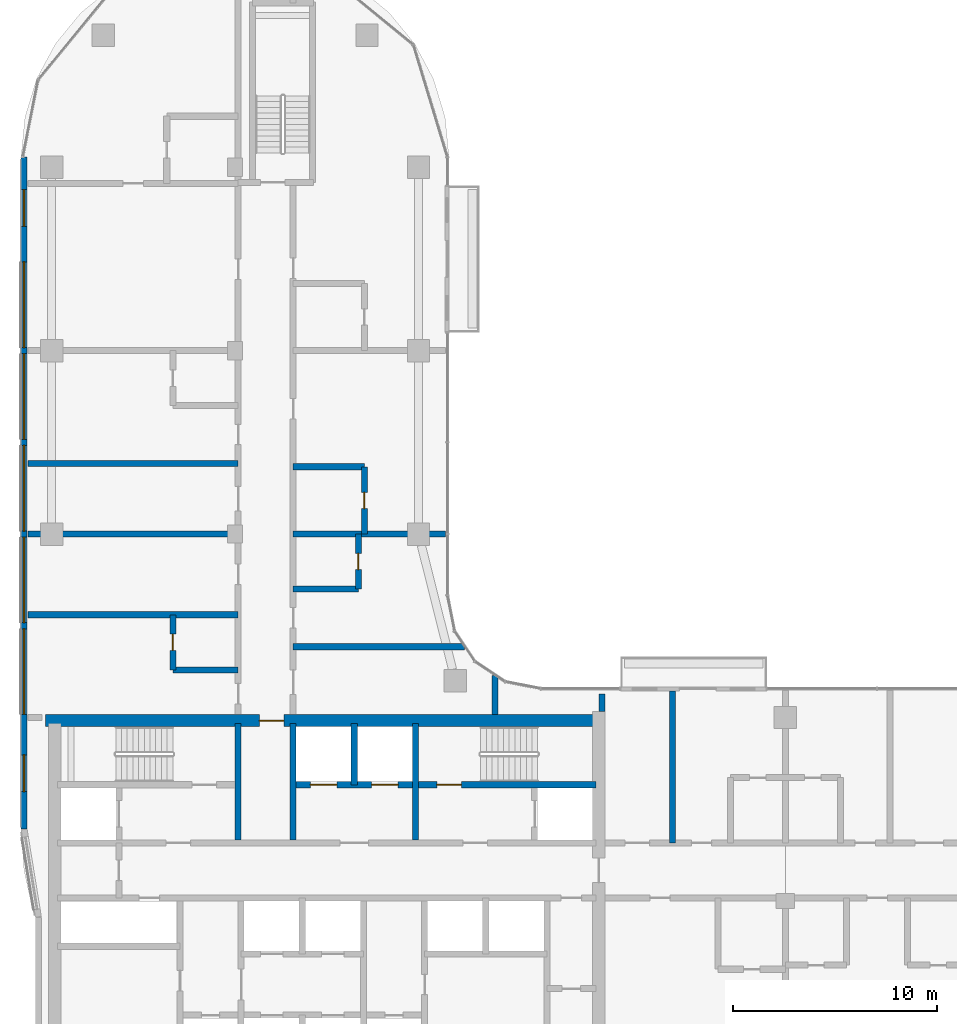
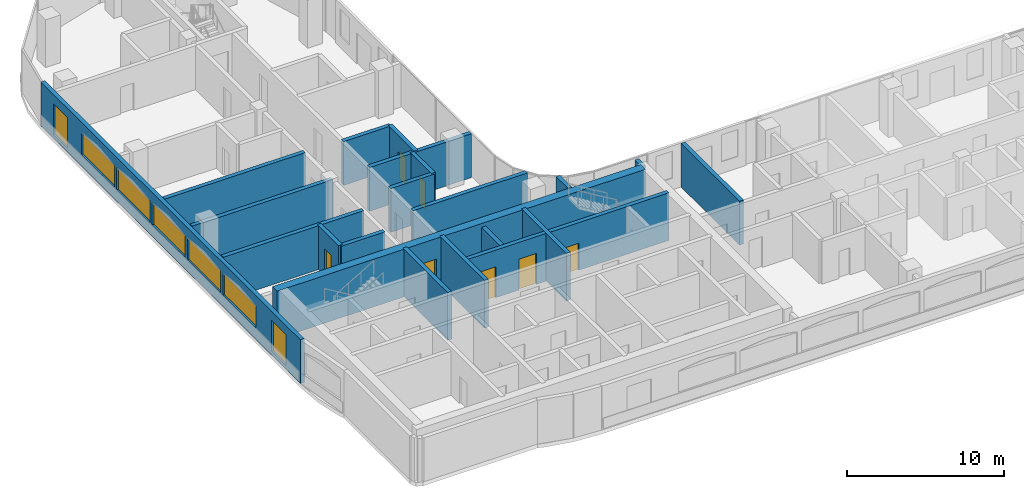
# One storey, part 8 of 22: 21 walls, 7 doors, 7 windows, 14 openings.
"""IFC4 building model written with IfcOpenShell, lengths in metres."""

from ifc_helpers import new_model, si_unit, direction, frame, frame_2d, origin, place, context, subcontext, project, spatial, rectangle, extrude, material, layer, layer_set, type_object, element, fill, save


model = new_model("IFC4")

# Units and contexts
model_context = context("Model", 3, precision=1e-05, world=origin(), true_north=direction((0.0, 1.0)))
body_context = subcontext(model_context, "Body", "Model", "MODEL_VIEW")
ifc_project = project(units=[si_unit("LENGTHUNIT", "METRE"), si_unit("AREAUNIT", "SQUARE_METRE"), si_unit("VOLUMEUNIT", "CUBIC_METRE"), si_unit("PLANEANGLEUNIT", "RADIAN"), si_unit("MASSUNIT", "GRAM", prefix="KILO")], contexts=[model_context])

# Site, building, storey
site_placement = place(None, origin())
site = spatial("IfcSite", under=ifc_project, at=site_placement, CompositionType="ELEMENT")
building_placement = place(site_placement, origin())
building = spatial("IfcBuilding", under=site, at=building_placement, Name="Ogive Portal Towers", CompositionType="ELEMENT")
storey_placement = place(building_placement, frame((0.0, 0.0, 145.89990234375)))
storey = spatial("IfcBuildingStorey", under=building, at=storey_placement, Name="L35", CompositionType="ELEMENT", Elevation=145.89990234375)

# Wall, openings, doors
ifc_material_1 = material(Name="Concrete C60/75", Category="concrete")
ifc_layer_1 = layer(ifc_material_1, 0.300048828125)
ifc_layer_set_1 = layer_set([ifc_layer_1], Name="CORE WALL 300 C60")
wall_type_1 = type_object("IfcWallType", Name="CORE WALL 300 C60", PredefinedType="SHEAR", material=ifc_layer_set_1)
wall_1_placement = place(storey_placement, frame((43.5, 36.199951171875, 0.0), z_axis=(0.0, 0.0, 1.0), x_axis=(1.0, 0.0, 0.0)))
wall_1 = element("IfcWall", 1, at=wall_1_placement, inside=storey, type_object=wall_type_1, Name="Core wall Y3b L35", PredefinedType="SHEAR", context=body_context, shape_type="SweptSolid", body=[
    extrude(rectangle(XDim=14.699951171875, YDim=0.300048828125, at=frame_2d((7.35009765625, 0.0))), origin(), (0.0, 0.0, 1.0), 3.7001953125),
])
opening_1_placement = place(wall_1_placement, frame((6.89990234375, 0.0, 0.0)))
opening_1 = element("IfcOpeningElement", 2, at=opening_1_placement, cuts=wall_1, Name="Opening D13-006", PredefinedType="OPENING", context=body_context, shape_type="SweptSolid", body=[
    extrude(rectangle(XDim=1.199951171875, YDim=2.10009765625, at=frame_2d((0.60009765625, 1.050048828125))), frame((0.0, 0.16015625, 0.0), z_axis=(0.0, -1.0, 0.0), x_axis=(1.0, 0.0, 0.0)), (0.0, 0.0, 1.0), 0.320068359375),
])
opening_2_placement = place(wall_1_placement, frame((0.699951171875, 0.0, 0.0)))
opening_2 = element("IfcOpeningElement", 3, at=opening_2_placement, cuts=wall_1, Name="Opening D13-017", PredefinedType="OPENING", context=body_context, shape_type="SweptSolid", body=[
    extrude(rectangle(XDim=1.300048828125, YDim=2.39990234375, at=frame_2d((0.64990234375, 1.199951171875))), frame((0.0, 0.16015625, 0.0), z_axis=(0.0, -1.0, 0.0), x_axis=(1.0, 0.0, 0.0)), (0.0, 0.0, 1.0), 0.320068359375),
])
opening_3_placement = place(wall_1_placement, frame((3.699951171875, 0.0, 0.0)))
opening_3 = element("IfcOpeningElement", 4, at=opening_3_placement, cuts=wall_1, Name="Opening D13-018", PredefinedType="OPENING", context=body_context, shape_type="SweptSolid", body=[
    extrude(rectangle(XDim=1.300048828125, YDim=2.39990234375, at=frame_2d((0.64990234375, 1.199951171875))), frame((0.0, 0.16015625, 0.0), z_axis=(0.0, -1.0, 0.0), x_axis=(1.0, 0.0, 0.0)), (0.0, 0.0, 1.0), 0.320068359375),
])
ifc_material_2 = material(Name="Stainless steel", Category="steel")
door_type_1 = type_object("IfcDoorType", Name="DT-LD-1300x2400", OperationType="SLIDING_TO_LEFT", PredefinedType="DOOR", material=ifc_material_2)
door_1_placement = place(opening_2_placement, origin())
door_1 = element("IfcDoor", 5, at=door_1_placement, inside=storey, type_object=door_type_1, Name="Door D13-017", OperationType="SLIDING_TO_LEFT", OverallHeight=2.39990234375, OverallWidth=1.300048828125, PredefinedType="DOOR", context=body_context, shape_type="SweptSolid", body=[
    extrude(rectangle(XDim=1.300048828125, YDim=2.39990234375, at=frame_2d((0.64990234375, 1.199951171875))), frame((0.0, 0.02490234375, 0.0), z_axis=(0.0, -1.0, 0.0), x_axis=(1.0, 0.0, 0.0)), (0.0, 0.0, 1.0), 0.050048828125),
])
fill(opening_2, door_1)
door_2_placement = place(opening_3_placement, origin())
door_2 = element("IfcDoor", 6, at=door_2_placement, inside=storey, type_object=door_type_1, Name="Door D13-018", OperationType="SLIDING_TO_LEFT", OverallHeight=2.39990234375, OverallWidth=1.300048828125, PredefinedType="DOOR", context=body_context, shape_type="SweptSolid", body=[
    extrude(rectangle(XDim=1.300048828125, YDim=2.39990234375, at=frame_2d((0.64990234375, 1.199951171875))), frame((0.0, 0.02490234375, 0.0), z_axis=(0.0, -1.0, 0.0), x_axis=(1.0, 0.0, 0.0)), (0.0, 0.0, 1.0), 0.050048828125),
])
fill(opening_3, door_2)
ifc_material_3 = material(Name="Steel fire door", Category="steel")
door_type_2 = type_object("IfcDoorType", Name="DT-SWING-1200x2100-FD90S", OperationType="SINGLE_SWING_LEFT", PredefinedType="DOOR", material=ifc_material_3)
door_3_placement = place(opening_1_placement, origin())
door_3 = element("IfcDoor", 7, at=door_3_placement, inside=storey, type_object=door_type_2, Name="Door D13-006", OperationType="SINGLE_SWING_LEFT", OverallHeight=2.10009765625, OverallWidth=1.199951171875, PredefinedType="DOOR", context=body_context, shape_type="SweptSolid", body=[
    extrude(rectangle(XDim=1.199951171875, YDim=2.10009765625, at=frame_2d((0.60009765625, 1.050048828125))), frame((0.0, 0.02490234375, 0.0), z_axis=(0.0, -1.0, 0.0), x_axis=(1.0, 0.0, 0.0)), (0.0, 0.0, 1.0), 0.050048828125),
])
fill(opening_1, door_3)

# Walls
for number, where, z_axis, x_axis, name in (
    (8, (40.64990234375, 33.5, 0.0), (0.0, 0.0, 1.0), (0.0, 1.0, 0.0), "Core wall X6 L35"),
    (9, (43.35009765625, 33.5, 0.0), (0.0, 0.0, 1.0), (0.0, 1.0, 0.0), "Core wall X7 L35"),
    (10, (49.35009765625, 33.5, 0.0), (0.0, 0.0, 1.0), (0.0, 1.0, 0.0), "Core wall X9 L35"),
):
    element("IfcWall", number, at=place(storey_placement, frame(where, z_axis=z_axis, x_axis=x_axis)), inside=storey, type_object=wall_type_1, Name=name, PredefinedType="SHEAR", context=body_context, shape_type="SweptSolid", body=[
        extrude(rectangle(XDim=5.699951171875, YDim=0.300048828125, at=frame_2d((2.85009765625, 0.0))), origin(), (0.0, 0.0, 1.0), 3.7001953125),
    ])

# Wall, opening, door
ifc_layer_2 = layer(ifc_material_1, 0.60009765625)
ifc_layer_set_2 = layer_set([ifc_layer_2], Name="CORE WALL 600 C60")
wall_type_2 = type_object("IfcWallType", Name="CORE WALL 600 C60", PredefinedType="SHEAR", material=ifc_layer_set_2)
wall_2_placement = place(storey_placement, frame((31.199951171875, 39.35009765625, 0.0), z_axis=(0.0, 0.0, 1.0), x_axis=(1.0, 0.0, 0.0)))
wall_2 = element("IfcWall", 11, at=wall_2_placement, inside=storey, type_object=wall_type_2, Name="Core wall N L35", PredefinedType="SHEAR", context=body_context, shape_type="SweptSolid", body=[
    extrude(rectangle(XDim=27.0, YDim=0.60009765625, at=frame_2d((13.5, 0.0))), origin(), (0.0, 0.0, 1.0), 3.7001953125),
])
opening_4_placement = place(wall_2_placement, frame((10.5, 0.0, 0.0)))
opening_4 = element("IfcOpeningElement", 12, at=opening_4_placement, cuts=wall_2, Name="Opening D13-012", PredefinedType="OPENING", context=body_context, shape_type="SweptSolid", body=[
    extrude(rectangle(XDim=1.199951171875, YDim=2.10009765625, at=frame_2d((0.60009765625, 1.050048828125))), frame((0.0, 0.31005859375, 0.0), z_axis=(0.0, -1.0, 0.0), x_axis=(1.0, 0.0, 0.0)), (0.0, 0.0, 1.0), 0.6201171875),
])
door_4_placement = place(opening_4_placement, origin())
door_4 = element("IfcDoor", 13, at=door_4_placement, inside=storey, type_object=door_type_2, Name="Door D13-012", OperationType="SINGLE_SWING_RIGHT", OverallHeight=2.10009765625, OverallWidth=1.199951171875, PredefinedType="DOOR", context=body_context, shape_type="SweptSolid", body=[
    extrude(rectangle(XDim=1.199951171875, YDim=2.10009765625, at=frame_2d((0.60009765625, 1.050048828125))), frame((0.0, 0.02490234375, 0.0), z_axis=(0.0, -1.0, 0.0), x_axis=(1.0, 0.0, 0.0)), (0.0, 0.0, 1.0), 0.050048828125),
])
fill(opening_4, door_4)

# Wall, openings, windows
ifc_material_4 = material(Name="Limestone cladding on lightweight block wall", Category="masonry")
ifc_layer_3 = layer(ifc_material_4, 0.300048828125)
ifc_layer_set_3 = layer_set([ifc_layer_3], Name="EXTERNAL WALL 300 STONE")
wall_type_3 = type_object("IfcWallType", Name="EXTERNAL WALL 300 STONE", PredefinedType="SOLIDWALL", material=ifc_layer_set_3)
wall_3_placement = place(storey_placement, frame((30.14990234375, 66.9921875, 0.0), z_axis=(0.0, 0.0, 1.0), x_axis=(0.0, -1.0, 0.0)))
wall_3 = element("IfcWall", 14, at=wall_3_placement, inside=storey, type_object=wall_type_3, Name="A:L35:f24:r0:wall", PredefinedType="SOLIDWALL", context=body_context, shape_type="SweptSolid", body=[
    extrude(rectangle(XDim=32.968017578125, YDim=0.300048828125, at=frame_2d((16.48388671875, 0.0))), origin(), (0.0, 0.0, 1.0), 3.400146484375),
])
opening_5_placement = place(wall_3_placement, frame((1.595947265625, 0.0, 0.300048828125)))
opening_5 = element("IfcOpeningElement", 15, at=opening_5_placement, cuts=wall_3, Name="Opening WN10", PredefinedType="OPENING", context=body_context, shape_type="SweptSolid", body=[
    extrude(rectangle(XDim=1.800048828125, YDim=2.39990234375, at=frame_2d((0.89990234375, 1.199951171875))), frame((0.0, 0.16015625, 0.0), z_axis=(0.0, -1.0, 0.0), x_axis=(1.0, 0.0, 0.0)), (0.0, 0.0, 1.0), 0.320068359375),
])
opening_6_placement = place(wall_3_placement, frame((5.14208984375, 0.0, 0.89990234375)))
opening_6 = element("IfcOpeningElement", 16, at=opening_6_placement, cuts=wall_3, Name="Opening WN13", PredefinedType="OPENING", context=body_context, shape_type="SweptSolid", body=[
    extrude(rectangle(XDim=4.199951171875, YDim=1.699951171875, at=frame_2d((2.10009765625, 0.85009765625))), frame((0.0, 0.16015625, 0.0), z_axis=(0.0, -1.0, 0.0), x_axis=(1.0, 0.0, 0.0)), (0.0, 0.0, 1.0), 0.320068359375),
])
opening_7_placement = place(wall_3_placement, frame((9.64208984375, 0.0, 0.89990234375)))
opening_7 = element("IfcOpeningElement", 17, at=opening_7_placement, cuts=wall_3, Name="Opening WN13", PredefinedType="OPENING", context=body_context, shape_type="SweptSolid", body=[
    extrude(rectangle(XDim=4.199951171875, YDim=1.699951171875, at=frame_2d((2.10009765625, 0.85009765625))), frame((0.0, 0.16015625, 0.0), z_axis=(0.0, -1.0, 0.0), x_axis=(1.0, 0.0, 0.0)), (0.0, 0.0, 1.0), 0.320068359375),
])
opening_8_placement = place(wall_3_placement, frame((14.14208984375, 0.0, 0.89990234375)))
opening_8 = element("IfcOpeningElement", 18, at=opening_8_placement, cuts=wall_3, Name="Opening WN13", PredefinedType="OPENING", context=body_context, shape_type="SweptSolid", body=[
    extrude(rectangle(XDim=4.199951171875, YDim=1.699951171875, at=frame_2d((2.10009765625, 0.85009765625))), frame((0.0, 0.16015625, 0.0), z_axis=(0.0, -1.0, 0.0), x_axis=(1.0, 0.0, 0.0)), (0.0, 0.0, 1.0), 0.320068359375),
])
opening_9_placement = place(wall_3_placement, frame((18.64208984375, 0.0, 0.89990234375)))
opening_9 = element("IfcOpeningElement", 19, at=opening_9_placement, cuts=wall_3, Name="Opening WN13", PredefinedType="OPENING", context=body_context, shape_type="SweptSolid", body=[
    extrude(rectangle(XDim=4.199951171875, YDim=1.699951171875, at=frame_2d((2.10009765625, 0.85009765625))), frame((0.0, 0.16015625, 0.0), z_axis=(0.0, -1.0, 0.0), x_axis=(1.0, 0.0, 0.0)), (0.0, 0.0, 1.0), 0.320068359375),
])
opening_10_placement = place(wall_3_placement, frame((23.14208984375, 0.0, 0.89990234375)))
opening_10 = element("IfcOpeningElement", 20, at=opening_10_placement, cuts=wall_3, Name="Opening WN13", PredefinedType="OPENING", context=body_context, shape_type="SweptSolid", body=[
    extrude(rectangle(XDim=4.199951171875, YDim=1.699951171875, at=frame_2d((2.10009765625, 0.85009765625))), frame((0.0, 0.16015625, 0.0), z_axis=(0.0, -1.0, 0.0), x_axis=(1.0, 0.0, 0.0)), (0.0, 0.0, 1.0), 0.320068359375),
])
opening_11_placement = place(wall_3_placement, frame((29.330078125, 0.0, 0.300048828125)))
opening_11 = element("IfcOpeningElement", 21, at=opening_11_placement, cuts=wall_3, Name="Opening WN10", PredefinedType="OPENING", context=body_context, shape_type="SweptSolid", body=[
    extrude(rectangle(XDim=1.800048828125, YDim=2.39990234375, at=frame_2d((0.89990234375, 1.199951171875))), frame((0.0, 0.16015625, 0.0), z_axis=(0.0, -1.0, 0.0), x_axis=(1.0, 0.0, 0.0)), (0.0, 0.0, 1.0), 0.320068359375),
])
ifc_material_5 = material(Name="Glass, clear low-iron insulated glazing", Category="glass")
window_type_1 = type_object("IfcWindowType", Name="WINDOW RIBBON LANCET 4200x1700", PartitioningType="TRIPLE_PANEL_VERTICAL", PredefinedType="WINDOW", material=ifc_material_5)
window_1_placement = place(opening_6_placement, origin())
window_1 = element("IfcWindow", 22, at=window_1_placement, inside=storey, type_object=window_type_1, Name="A:L35:f24:r0:w1", OverallHeight=1.699951171875, OverallWidth=4.199951171875, PartitioningType="SINGLE_PANEL", PredefinedType="WINDOW", context=body_context, shape_type="SweptSolid", body=[
    extrude(rectangle(XDim=4.199951171875, YDim=1.699951171875, at=frame_2d((2.10009765625, 0.85009765625))), frame((0.0, 0.030029296875, 0.0), z_axis=(0.0, -1.0, 0.0), x_axis=(1.0, 0.0, 0.0)), (0.0, 0.0, 1.0), 0.06005859375),
])
fill(opening_6, window_1)
window_2_placement = place(opening_7_placement, origin())
window_2 = element("IfcWindow", 23, at=window_2_placement, inside=storey, type_object=window_type_1, Name="A:L35:f24:r0:w2", OverallHeight=1.699951171875, OverallWidth=4.199951171875, PartitioningType="SINGLE_PANEL", PredefinedType="WINDOW", context=body_context, shape_type="SweptSolid", body=[
    extrude(rectangle(XDim=4.199951171875, YDim=1.699951171875, at=frame_2d((2.10009765625, 0.85009765625))), frame((0.0, 0.030029296875, 0.0), z_axis=(0.0, -1.0, 0.0), x_axis=(1.0, 0.0, 0.0)), (0.0, 0.0, 1.0), 0.06005859375),
])
fill(opening_7, window_2)
window_3_placement = place(opening_8_placement, origin())
window_3 = element("IfcWindow", 24, at=window_3_placement, inside=storey, type_object=window_type_1, Name="A:L35:f24:r0:w3", OverallHeight=1.699951171875, OverallWidth=4.199951171875, PartitioningType="SINGLE_PANEL", PredefinedType="WINDOW", context=body_context, shape_type="SweptSolid", body=[
    extrude(rectangle(XDim=4.199951171875, YDim=1.699951171875, at=frame_2d((2.10009765625, 0.85009765625))), frame((0.0, 0.030029296875, 0.0), z_axis=(0.0, -1.0, 0.0), x_axis=(1.0, 0.0, 0.0)), (0.0, 0.0, 1.0), 0.06005859375),
])
fill(opening_8, window_3)
window_4_placement = place(opening_9_placement, origin())
window_4 = element("IfcWindow", 25, at=window_4_placement, inside=storey, type_object=window_type_1, Name="A:L35:f24:r0:w4", OverallHeight=1.699951171875, OverallWidth=4.199951171875, PartitioningType="SINGLE_PANEL", PredefinedType="WINDOW", context=body_context, shape_type="SweptSolid", body=[
    extrude(rectangle(XDim=4.199951171875, YDim=1.699951171875, at=frame_2d((2.10009765625, 0.85009765625))), frame((0.0, 0.030029296875, 0.0), z_axis=(0.0, -1.0, 0.0), x_axis=(1.0, 0.0, 0.0)), (0.0, 0.0, 1.0), 0.06005859375),
])
fill(opening_9, window_4)
window_5_placement = place(opening_10_placement, origin())
window_5 = element("IfcWindow", 26, at=window_5_placement, inside=storey, type_object=window_type_1, Name="A:L35:f24:r0:w5", OverallHeight=1.699951171875, OverallWidth=4.199951171875, PartitioningType="SINGLE_PANEL", PredefinedType="WINDOW", context=body_context, shape_type="SweptSolid", body=[
    extrude(rectangle(XDim=4.199951171875, YDim=1.699951171875, at=frame_2d((2.10009765625, 0.85009765625))), frame((0.0, 0.030029296875, 0.0), z_axis=(0.0, -1.0, 0.0), x_axis=(1.0, 0.0, 0.0)), (0.0, 0.0, 1.0), 0.06005859375),
])
fill(opening_10, window_5)
window_type_2 = type_object("IfcWindowType", Name="WINDOW SUITE CORNER 1800x2400", PartitioningType="DOUBLE_PANEL_VERTICAL", PredefinedType="WINDOW", material=ifc_material_5)
window_6_placement = place(opening_5_placement, origin())
window_6 = element("IfcWindow", 27, at=window_6_placement, inside=storey, type_object=window_type_2, Name="A:L35:f24:r0:w0", OverallHeight=2.39990234375, OverallWidth=1.800048828125, PartitioningType="SINGLE_PANEL", PredefinedType="WINDOW", context=body_context, shape_type="SweptSolid", body=[
    extrude(rectangle(XDim=1.800048828125, YDim=2.39990234375, at=frame_2d((0.89990234375, 1.199951171875))), frame((0.0, 0.030029296875, 0.0), z_axis=(0.0, -1.0, 0.0), x_axis=(1.0, 0.0, 0.0)), (0.0, 0.0, 1.0), 0.06005859375),
])
fill(opening_5, window_6)
window_7_placement = place(opening_11_placement, origin())
window_7 = element("IfcWindow", 28, at=window_7_placement, inside=storey, type_object=window_type_2, Name="A:L35:f24:r0:w6", OverallHeight=2.39990234375, OverallWidth=1.800048828125, PartitioningType="SINGLE_PANEL", PredefinedType="WINDOW", context=body_context, shape_type="SweptSolid", body=[
    extrude(rectangle(XDim=1.800048828125, YDim=2.39990234375, at=frame_2d((0.89990234375, 1.199951171875))), frame((0.0, 0.030029296875, 0.0), z_axis=(0.0, -1.0, 0.0), x_axis=(1.0, 0.0, 0.0)), (0.0, 0.0, 1.0), 0.06005859375),
])
fill(opening_11, window_7)

# Walls
ifc_material_6 = material(Name="Gypsum board partition on steel studs", Category="steel")
ifc_layer_4 = layer(ifc_material_6, 0.300048828125)
ifc_layer_set_4 = layer_set([ifc_layer_4], Name="WT-PART-300-EI 60")
wall_type_4 = type_object("IfcWallType", Name="WT-PART-300-EI 60", PredefinedType="PARTITIONING", material=ifc_layer_set_4)
wall_4_placement = place(storey_placement, frame((37.449951171875, 41.840087890625, 0.0), z_axis=(0.0, 0.0, 1.0), x_axis=(1.0, 0.0, 0.0)))
element("IfcWall", 29, at=wall_4_placement, inside=storey, type_object=wall_type_4, Name="Wall L35:w014", PredefinedType="PARTITIONING", context=body_context, shape_type="SweptSolid", body=[
    extrude(rectangle(XDim=3.199951171875, YDim=0.300048828125, at=frame_2d((1.60009765625, 0.0))), origin(), (0.0, 0.0, 1.0), 3.400146484375),
])
wall_5_placement = place(storey_placement, frame((43.35009765625, 42.969970703125, 0.0), z_axis=(0.0, 0.0, 1.0), x_axis=(1.0, 0.0, 0.0)))
element("IfcWall", 30, at=wall_5_placement, inside=storey, type_object=wall_type_4, Name="Wall L35:w015", PredefinedType="PARTITIONING", context=body_context, shape_type="SweptSolid", body=[
    extrude(rectangle(XDim=8.40185546875, YDim=0.300048828125, at=frame_2d((4.200927734375, 0.0))), origin(), (0.0, 0.0, 1.0), 3.400146484375),
])
wall_6_placement = place(storey_placement, frame((30.35009765625, 44.5400390625, 0.0), z_axis=(0.0, 0.0, 1.0), x_axis=(1.0, 0.0, 0.0)))
element("IfcWall", 31, at=wall_6_placement, inside=storey, type_object=wall_type_4, Name="Wall L35:w016", PredefinedType="PARTITIONING", context=body_context, shape_type="SweptSolid", body=[
    extrude(rectangle(XDim=10.2998046875, YDim=0.300048828125, at=frame_2d((5.14990234375, 0.0))), origin(), (0.0, 0.0, 1.0), 3.400146484375),
])
wall_7_placement = place(storey_placement, frame((43.35009765625, 45.800048828125, 0.0), z_axis=(0.0, 0.0, 1.0), x_axis=(1.0, 0.0, 0.0)))
element("IfcWall", 32, at=wall_7_placement, inside=storey, type_object=wall_type_4, Name="Wall L35:w017", PredefinedType="PARTITIONING", context=body_context, shape_type="SweptSolid", body=[
    extrude(rectangle(XDim=3.199951171875, YDim=0.300048828125, at=frame_2d((1.60009765625, 0.0))), origin(), (0.0, 0.0, 1.0), 3.400146484375),
])
wall_8_placement = place(storey_placement, frame((30.35009765625, 48.5, 0.0), z_axis=(0.0, 0.0, 1.0), x_axis=(1.0, 0.0, 0.0)))
element("IfcWall", 33, at=wall_8_placement, inside=storey, type_object=wall_type_4, Name="Wall L35:w018", PredefinedType="PARTITIONING", context=body_context, shape_type="SweptSolid", body=[
    extrude(rectangle(XDim=10.2998046875, YDim=0.300048828125, at=frame_2d((5.14990234375, 0.0))), origin(), (0.0, 0.0, 1.0), 3.400146484375),
])
wall_9_placement = place(storey_placement, frame((43.35009765625, 48.5, 0.0), z_axis=(0.0, 0.0, 1.0), x_axis=(1.0, 0.0, 0.0)))
element("IfcWall", 34, at=wall_9_placement, inside=storey, type_object=wall_type_4, Name="Wall L35:w019", PredefinedType="PARTITIONING", context=body_context, shape_type="SweptSolid", body=[
    extrude(rectangle(XDim=7.47998046875, YDim=0.300048828125, at=frame_2d((3.739990234375, 0.0))), origin(), (0.0, 0.0, 1.0), 3.400146484375),
])
wall_10_placement = place(storey_placement, frame((43.35009765625, 51.800048828125, 0.0), z_axis=(0.0, 0.0, 1.0), x_axis=(1.0, 0.0, 0.0)))
element("IfcWall", 35, at=wall_10_placement, inside=storey, type_object=wall_type_4, Name="Wall L35:w020", PredefinedType="PARTITIONING", context=body_context, shape_type="SweptSolid", body=[
    extrude(rectangle(XDim=3.5, YDim=0.300048828125, at=frame_2d((1.75, 0.0))), origin(), (0.0, 0.0, 1.0), 3.400146484375),
])
wall_11_placement = place(storey_placement, frame((30.35009765625, 51.969970703125, 0.0), z_axis=(0.0, 0.0, 1.0), x_axis=(1.0, 0.0, 0.0)))
element("IfcWall", 36, at=wall_11_placement, inside=storey, type_object=wall_type_4, Name="Wall L35:w021", PredefinedType="PARTITIONING", context=body_context, shape_type="SweptSolid", body=[
    extrude(rectangle(XDim=10.2998046875, YDim=0.300048828125, at=frame_2d((5.14990234375, 0.0))), origin(), (0.0, 0.0, 1.0), 3.400146484375),
])

# Wall, opening, door
wall_12_placement = place(storey_placement, frame((37.449951171875, 41.840087890625, 0.0), z_axis=(0.0, 0.0, 1.0), x_axis=(0.0, 1.0, 0.0)))
wall_12 = element("IfcWall", 37, at=wall_12_placement, inside=storey, type_object=wall_type_4, Name="Wall L35:w031", PredefinedType="PARTITIONING", context=body_context, shape_type="SweptSolid", body=[
    extrude(rectangle(XDim=2.699951171875, YDim=0.300048828125, at=frame_2d((1.35009765625, 0.0))), origin(), (0.0, 0.0, 1.0), 3.400146484375),
])
opening_12_placement = place(wall_12_placement, frame((0.949951171875, 0.0, 0.0)))
opening_12 = element("IfcOpeningElement", 38, at=opening_12_placement, cuts=wall_12, Name="Opening D13-046", PredefinedType="OPENING", context=body_context, shape_type="SweptSolid", body=[
    extrude(rectangle(XDim=0.800048828125, YDim=2.10009765625, at=frame_2d((0.39990234375, 1.050048828125))), frame((0.0, 0.16015625, 0.0), z_axis=(0.0, -1.0, 0.0), x_axis=(1.0, 0.0, 0.0)), (0.0, 0.0, 1.0), 0.320068359375),
])
door_type_3 = type_object("IfcDoorType", Name="DT-BATH-800x2100-FD60S", OperationType="SINGLE_SWING_LEFT", PredefinedType="DOOR", material=ifc_material_3)
door_5_placement = place(opening_12_placement, origin())
door_5 = element("IfcDoor", 39, at=door_5_placement, inside=storey, type_object=door_type_3, Name="Door D13-046", OperationType="SINGLE_SWING_LEFT", OverallHeight=2.10009765625, OverallWidth=0.800048828125, PredefinedType="DOOR", context=body_context, shape_type="SweptSolid", body=[
    extrude(rectangle(XDim=0.800048828125, YDim=2.10009765625, at=frame_2d((0.39990234375, 1.050048828125))), frame((0.0, 0.02490234375, 0.0), z_axis=(0.0, -1.0, 0.0), x_axis=(1.0, 0.0, 0.0)), (0.0, 0.0, 1.0), 0.050048828125),
])
fill(opening_12, door_5)

wall_13_placement = place(storey_placement, frame((46.550048828125, 45.800048828125, 0.0), z_axis=(0.0, 0.0, 1.0), x_axis=(0.0, 1.0, 0.0)))
wall_13 = element("IfcWall", 40, at=wall_13_placement, inside=storey, type_object=wall_type_4, Name="Wall L35:w038", PredefinedType="PARTITIONING", context=body_context, shape_type="SweptSolid", body=[
    extrude(rectangle(XDim=2.699951171875, YDim=0.300048828125, at=frame_2d((1.35009765625, 0.0))), origin(), (0.0, 0.0, 1.0), 3.400146484375),
])
opening_13_placement = place(wall_13_placement, frame((0.949951171875, 0.0, 0.0)))
opening_13 = element("IfcOpeningElement", 41, at=opening_13_placement, cuts=wall_13, Name="Opening D13-044", PredefinedType="OPENING", context=body_context, shape_type="SweptSolid", body=[
    extrude(rectangle(XDim=0.800048828125, YDim=2.10009765625, at=frame_2d((0.39990234375, 1.050048828125))), frame((0.0, 0.16015625, 0.0), z_axis=(0.0, -1.0, 0.0), x_axis=(1.0, 0.0, 0.0)), (0.0, 0.0, 1.0), 0.320068359375),
])
door_6_placement = place(opening_13_placement, origin())
door_6 = element("IfcDoor", 42, at=door_6_placement, inside=storey, type_object=door_type_3, Name="Door D13-044", OperationType="SINGLE_SWING_LEFT", OverallHeight=2.10009765625, OverallWidth=0.800048828125, PredefinedType="DOOR", context=body_context, shape_type="SweptSolid", body=[
    extrude(rectangle(XDim=0.800048828125, YDim=2.10009765625, at=frame_2d((0.39990234375, 1.050048828125))), frame((0.0, 0.02490234375, 0.0), z_axis=(0.0, -1.0, 0.0), x_axis=(1.0, 0.0, 0.0)), (0.0, 0.0, 1.0), 0.050048828125),
])
fill(opening_13, door_6)

wall_14_placement = place(storey_placement, frame((46.85009765625, 48.5, 0.0), z_axis=(0.0, 0.0, 1.0), x_axis=(0.0, 1.0, 0.0)))
wall_14 = element("IfcWall", 43, at=wall_14_placement, inside=storey, type_object=wall_type_4, Name="Wall L35:w039", PredefinedType="PARTITIONING", context=body_context, shape_type="SweptSolid", body=[
    extrude(rectangle(XDim=3.300048828125, YDim=0.300048828125, at=frame_2d((1.64990234375, 0.0))), origin(), (0.0, 0.0, 1.0), 3.400146484375),
])
opening_14_placement = place(wall_14_placement, frame((1.25, 0.0, 0.0)))
opening_14 = element("IfcOpeningElement", 44, at=opening_14_placement, cuts=wall_14, Name="Opening D13-049", PredefinedType="OPENING", context=body_context, shape_type="SweptSolid", body=[
    extrude(rectangle(XDim=0.800048828125, YDim=2.10009765625, at=frame_2d((0.39990234375, 1.050048828125))), frame((0.0, 0.16015625, 0.0), z_axis=(0.0, -1.0, 0.0), x_axis=(1.0, 0.0, 0.0)), (0.0, 0.0, 1.0), 0.320068359375),
])
door_7_placement = place(opening_14_placement, origin())
door_7 = element("IfcDoor", 45, at=door_7_placement, inside=storey, type_object=door_type_3, Name="Door D13-049", OperationType="SINGLE_SWING_LEFT", OverallHeight=2.10009765625, OverallWidth=0.800048828125, PredefinedType="DOOR", context=body_context, shape_type="SweptSolid", body=[
    extrude(rectangle(XDim=0.800048828125, YDim=2.10009765625, at=frame_2d((0.39990234375, 1.050048828125))), frame((0.0, 0.02490234375, 0.0), z_axis=(0.0, -1.0, 0.0), x_axis=(1.0, 0.0, 0.0)), (0.0, 0.0, 1.0), 0.050048828125),
])
fill(opening_14, door_7)

# Walls
wall_15_placement = place(storey_placement, frame((53.25, 39.64990234375, 0.0), z_axis=(0.0, 0.0, 1.0), x_axis=(0.0, 1.0, 0.0)))
element("IfcWall", 46, at=wall_15_placement, inside=storey, type_object=wall_type_4, Name="Wall L35:w041", PredefinedType="PARTITIONING", context=body_context, shape_type="SweptSolid", body=[
    extrude(rectangle(XDim=1.9150390625, YDim=0.300048828125, at=frame_2d((0.95751953125, 0.0))), origin(), (0.0, 0.0, 1.0), 3.400146484375),
])
wall_16_placement = place(storey_placement, frame((58.5, 39.7900390625, 0.0), z_axis=(0.0, 0.0, 1.0), x_axis=(0.0, 1.0, 0.0)))
element("IfcWall", 47, at=wall_16_placement, inside=storey, type_object=wall_type_4, Name="Wall L35:w043", PredefinedType="PARTITIONING", context=body_context, shape_type="SweptSolid", body=[
    extrude(rectangle(XDim=0.85986328125, YDim=0.300048828125, at=frame_2d((0.429931640625, 0.0))), origin(), (0.0, 0.0, 1.0), 3.400146484375),
])
wall_17_placement = place(storey_placement, frame((61.969970703125, 33.35009765625, 0.0), z_axis=(0.0, 0.0, 1.0), x_axis=(0.0, 1.0, 0.0)))
element("IfcWall", 48, at=wall_17_placement, inside=storey, type_object=wall_type_4, Name="Wall L35:w044", PredefinedType="PARTITIONING", context=body_context, shape_type="SweptSolid", body=[
    extrude(rectangle(XDim=7.43994140625, YDim=0.300048828125, at=frame_2d((3.719970703125, 0.0))), origin(), (0.0, 0.0, 1.0), 3.400146484375),
])
ifc_material_7 = material(Name="Concrete C40/50", Category="concrete")
ifc_layer_5 = layer(ifc_material_7, 0.300048828125)
ifc_layer_set_5 = layer_set([ifc_layer_5], Name="WT-SHAFT-300")
wall_type_5 = type_object("IfcWallType", Name="WT-SHAFT-300", PredefinedType="SOLIDWALL", material=ifc_layer_set_5)
wall_18_placement = place(storey_placement, frame((46.35009765625, 36.199951171875, 0.0), z_axis=(0.0, 0.0, 1.0), x_axis=(0.0, 1.0, 0.0)))
element("IfcWall", 49, at=wall_18_placement, inside=storey, type_object=wall_type_5, Name="Wall pw:010:L35", PredefinedType="SOLIDWALL", context=body_context, shape_type="SweptSolid", body=[
    extrude(rectangle(XDim=3.0, YDim=0.300048828125, at=frame_2d((1.5, 0.0))), origin(), (0.0, 0.0, 1.0), 3.400146484375),
])

save(model, "model.ifc")
